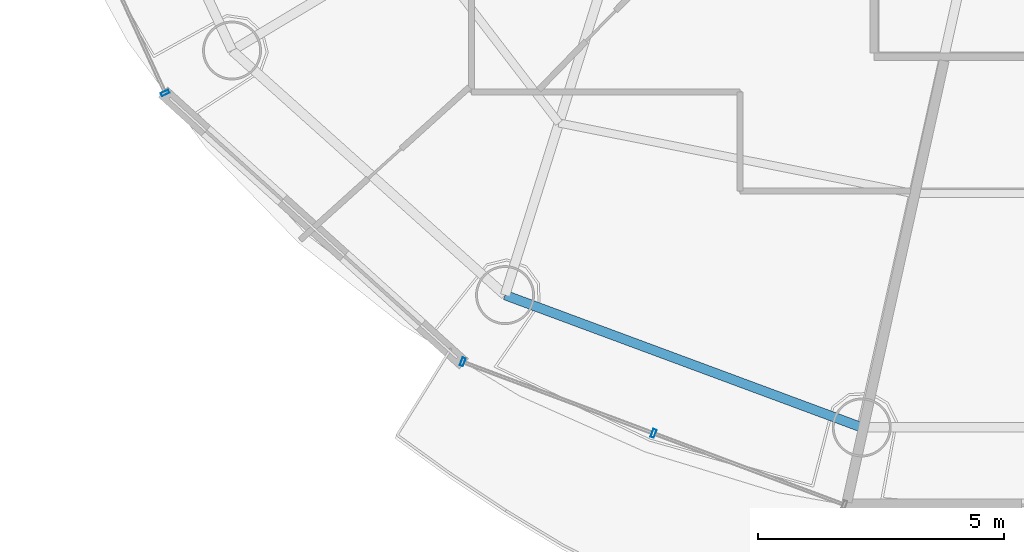
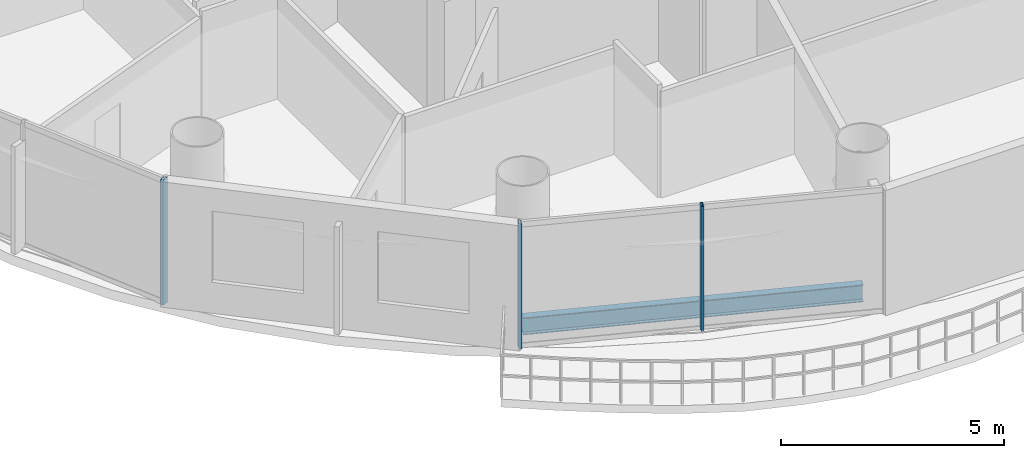
# One storey, part 2 of 26: 3 members, 1 beam, 2 elements without a shape of their own.
"""IFC4 building model written with IfcOpenShell, lengths in metres."""

from ifc_helpers import new_model, si_unit, direction, frame, origin, origin_2d, place, context, subcontext, project, spatial, hollow_rectangle, i_section, extrude, source, transform, mapped, material, material_profile, profile_set, type_object, element, aggregate, save


model = new_model("IFC4")

# Units and contexts
model_context = context("Model", 3, precision=1e-05, world=origin(), true_north=direction((-0.2419218956, 0.970295726276)))
body_context = subcontext(model_context, "Body", "Model", "MODEL_VIEW")
ifc_project = project(units=[si_unit("LENGTHUNIT", "METRE"), si_unit("AREAUNIT", "SQUARE_METRE"), si_unit("VOLUMEUNIT", "CUBIC_METRE"), si_unit("PLANEANGLEUNIT", "RADIAN"), si_unit("MASSUNIT", "GRAM", prefix="KILO")], contexts=[model_context])

# Site, building, storey
site_placement = place(None, origin())
site = spatial("IfcSite", under=ifc_project, at=site_placement, CompositionType="ELEMENT")
building_placement = place(site_placement, origin())
building = spatial("IfcBuilding", under=site, at=building_placement, Name="Cobrevalo Terracotta Tower", CompositionType="ELEMENT")
storey_placement = place(building_placement, frame((0.0, 0.0, 228.199951171875)))
storey = spatial("IfcBuildingStorey", under=building, at=storey_placement, Name="L60", CompositionType="ELEMENT", Elevation=228.199951171875)

# Beam
ifc_material_1 = material(Name="Steel S355", Category="steel")
ifc_material_profile_1 = material_profile(ifc_material_1, i_section(OverallWidth=0.194091796875, OverallDepth=0.468994140625, WebThickness=0.011474609375, FlangeThickness=0.0205078125, at=origin_2d()), Name="W 460x106")
ifc_profile_set_1 = profile_set([ifc_material_profile_1], Name="Steel S355")
beam_type = type_object("IfcBeamType", Name="Structural Spandrel W 460x106 (Steel S355)", PredefinedType="SPANDREL", material=ifc_profile_set_1)
beam_placement = place(storey_placement, frame((26.80517578125, 11.7919921875, -0.49951171875), z_axis=(0.937545996665, -0.347861328892, 0.0), x_axis=(0.347861328892, 0.937545996665, 0.0)))
element("IfcBeam", 1, at=beam_placement, inside=storey, type_object=beam_type, Name="L60 perimeter ring spandrel 11", PredefinedType="SPANDREL", context=body_context, shape_type="SweptSolid", body=[
    extrude(i_section(OverallWidth=0.194091796875, OverallDepth=0.468994140625, WebThickness=0.011474609375, FlangeThickness=0.0205078125, at=origin_2d()), origin(), (0.0, 0.0, 1.0), 7.74755859375),
])

# Curtain wall, member
ifc_material_2 = material(Name="Anodized aluminium", Category="aluminium")
curtain_wall_type = type_object("IfcCurtainWallType", Name="Mid-tower high-wind unitised curtain wall CW-U2", PredefinedType="NOTDEFINED", material=ifc_material_2)
curtain_wall_1_placement = place(storey_placement, origin())
curtain_wall_1 = element("IfcCurtainWall", 2, at=curtain_wall_1_placement, inside=storey, type_object=curtain_wall_type, Name="L60 curtain wall CW-L60-S09", PredefinedType="NOTDEFINED")
ifc_material_profile_2 = material_profile(ifc_material_2, hollow_rectangle(XDim=0.070068359375, YDim=0.169921875, WallThickness=0.00439453125, at=origin_2d()), Name="CWM 70x170")
ifc_profile_set_2 = profile_set([ifc_material_profile_2], Name="Anodized aluminium")
member_type = type_object("IfcMemberType", Name="Upper tower unitised mullion 70x170", PredefinedType="MULLION", material=ifc_profile_set_2)
shared_shape = source(origin(), body_context, "Body", "SweptSolid", [
    extrude(hollow_rectangle(XDim=0.070068359375, YDim=0.169921875, WallThickness=0.00439453125, at=origin_2d()), origin(), (0.0, 0.0, 1.0), 3.43505859375),
])
member_1_placement = place(storey_placement, frame((19.88232421875, 15.908203125, 0.0), z_axis=(0.0, 0.0, 1.0), x_axis=(0.41672507912, -0.909032567311, 0.0)))
member_1 = element("IfcMember", 3, at=member_1_placement, type_object=member_type, Name="CW-L60-S09 vertical mullion 03", PredefinedType="MULLION", context=body_context, shape_type="MappedRepresentation", body=[
    mapped(shared_shape, transform((0.0, 0.0, 0.0), scale=1.0)),
])
aggregate(curtain_wall_1, [member_1])

# Curtain wall, members
curtain_wall_2_placement = place(storey_placement, origin())
curtain_wall_2 = element("IfcCurtainWall", 4, at=curtain_wall_2_placement, inside=storey, type_object=curtain_wall_type, Name="L60 curtain wall CW-L60-S11", PredefinedType="NOTDEFINED")
member_2_placement = place(storey_placement, frame((25.942626953125, 10.430908203125, 0.0), z_axis=(0.0, 0.0, 1.0), x_axis=(0.936556004584, -0.350517974259, 0.0)))
member_2 = element("IfcMember", 5, at=member_2_placement, type_object=member_type, Name="CW-L60-S11 vertical mullion 01", PredefinedType="MULLION", context=body_context, shape_type="MappedRepresentation", body=[
    mapped(shared_shape, transform((0.0, 0.0, 0.0), scale=1.0)),
])
member_3_placement = place(storey_placement, frame((29.8291015625, 8.9765625, 0.0), z_axis=(0.0, 0.0, 1.0), x_axis=(0.936556004584, -0.350517974259, 0.0)))
member_3 = element("IfcMember", 6, at=member_3_placement, type_object=member_type, Name="CW-L60-S11 vertical mullion 02", PredefinedType="MULLION", context=body_context, shape_type="MappedRepresentation", body=[
    mapped(shared_shape, transform((0.0, 0.0, 0.0), scale=1.0)),
])
aggregate(curtain_wall_2, [member_2, member_3])

save(model, "model.ifc")
